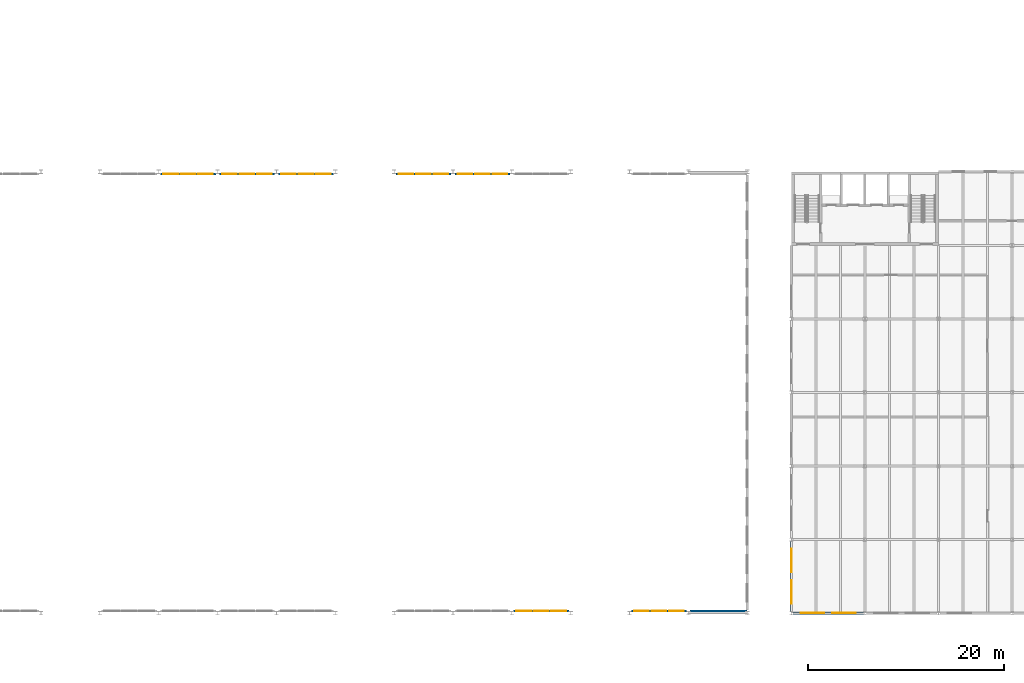
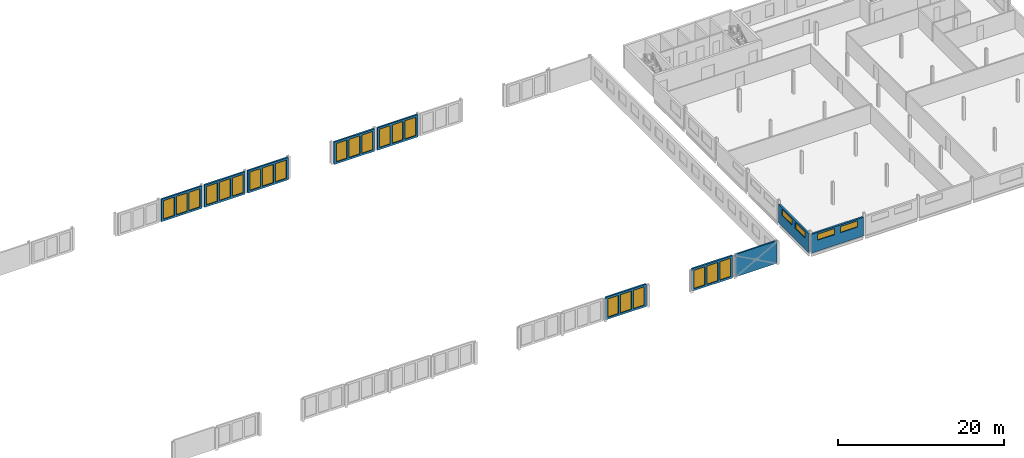
# One storey, part 51 of 199: 25 windows, 10 walls, 25 openings.
"""IFC4 building model written with IfcOpenShell, lengths in metres."""

from ifc_helpers import new_model, si_unit, direction, frame, frame_2d, origin, place, context, subcontext, project, spatial, rectangle, extrude, material, layer, layer_set, type_object, element, fill, save


model = new_model("IFC4")

# Units and contexts
model_context = context("Model", 3, precision=1e-05, world=origin(), true_north=direction((0.0, 1.0)))
body_context = subcontext(model_context, "Body", "Model", "MODEL_VIEW")
ifc_project = project(units=[si_unit("LENGTHUNIT", "METRE"), si_unit("AREAUNIT", "SQUARE_METRE"), si_unit("VOLUMEUNIT", "CUBIC_METRE"), si_unit("PLANEANGLEUNIT", "RADIAN"), si_unit("MASSUNIT", "GRAM", prefix="KILO")], contexts=[model_context])

# Site, building, storey
site_placement = place(None, origin())
site = spatial("IfcSite", under=ifc_project, at=site_placement, CompositionType="ELEMENT")
building_placement = place(site_placement, origin())
building = spatial("IfcBuilding", under=site, at=building_placement, Name="Parallax Yard Mobility Hub", CompositionType="ELEMENT")
storey_placement = place(building_placement, frame((0.0, 0.0, 9.89990234375)))
storey = spatial("IfcBuildingStorey", under=building, at=storey_placement, Name="L03", CompositionType="ELEMENT", Elevation=9.89990234375)

# Wall, openings, windows
ifc_material_1 = material(Name="Concrete fc' 35 MPa", Category="concrete")
ifc_layer_1 = layer(ifc_material_1, 0.25)
ifc_layer_set_1 = layer_set([ifc_layer_1], Name="Exterior wall, Concrete fc' 35 MPa precast, 250 with insulation lining")
wall_type_1 = type_object("IfcWallType", Name="Exterior wall, Concrete fc' 35 MPa precast, 250 with insulation lining", PredefinedType="SOLIDWALL", material=ifc_layer_set_1)
wall_1_placement = place(storey_placement, frame((97.653564453125, 7.5, 0.0), z_axis=(0.0, 0.0, 1.0), x_axis=(1.0, 0.0, 0.0)))
wall_1 = element("IfcWall", 1, at=wall_1_placement, inside=storey, type_object=wall_type_1, Name="Mobility service centre and workshops south wall bay 1 level L03", PredefinedType="SOLIDWALL", context=body_context, shape_type="SweptSolid", body=[
    extrude(rectangle(XDim=7.19287109375, YDim=0.25, at=frame_2d((3.596435546875, 0.0))), origin(), (0.0, 0.0, 1.0), 2.7509765625),
])
opening_1_placement = place(wall_1_placement, frame((0.797607421875, 0.0, 1.60009765625)))
opening_1 = element("IfcOpeningElement", 2, at=opening_1_placement, cuts=wall_1, Name="Opening W4", PredefinedType="OPENING", context=body_context, shape_type="SweptSolid", body=[
    extrude(rectangle(XDim=2.39990234375, YDim=0.89990234375, at=frame_2d((1.199951171875, 0.449951171875))), frame((0.0, 0.135009765625, 0.0), z_axis=(0.0, -1.0, 0.0), x_axis=(1.0, 0.0, 0.0)), (0.0, 0.0, 1.0), 0.27001953125),
])
opening_2_placement = place(wall_1_placement, frame((3.995361328125, 0.0, 1.60009765625)))
opening_2 = element("IfcOpeningElement", 3, at=opening_2_placement, cuts=wall_1, Name="Opening W4", PredefinedType="OPENING", context=body_context, shape_type="SweptSolid", body=[
    extrude(rectangle(XDim=2.39990234375, YDim=0.89990234375, at=frame_2d((1.199951171875, 0.449951171875))), frame((0.0, 0.135009765625, 0.0), z_axis=(0.0, -1.0, 0.0), x_axis=(1.0, 0.0, 0.0)), (0.0, 0.0, 1.0), 0.27001953125),
])
ifc_material_2 = material(Name="Double glazed low-E unit in thermally broken aluminium frame", Category="aluminium")
window_type_1 = type_object("IfcWindowType", Name="Workshop high-level window 2400 x 900", PartitioningType="DOUBLE_PANEL_VERTICAL", PredefinedType="WINDOW", material=ifc_material_2)
window_1_placement = place(opening_1_placement, origin())
window_1 = element("IfcWindow", 4, at=window_1_placement, inside=storey, type_object=window_type_1, Name="Window W4 level L03", OverallHeight=0.89990234375, OverallWidth=2.39990234375, PartitioningType="DOUBLE_PANEL_VERTICAL", PredefinedType="WINDOW", context=body_context, shape_type="SweptSolid", body=[
    extrude(rectangle(XDim=2.39990234375, YDim=0.89990234375, at=frame_2d((1.199951171875, 0.449951171875))), frame((0.0, 0.030029296875, 0.0), z_axis=(0.0, -1.0, 0.0), x_axis=(1.0, 0.0, 0.0)), (0.0, 0.0, 1.0), 0.06005859375),
])
fill(opening_1, window_1)
window_2_placement = place(opening_2_placement, origin())
window_2 = element("IfcWindow", 5, at=window_2_placement, inside=storey, type_object=window_type_1, Name="Window W4 level L03", OverallHeight=0.89990234375, OverallWidth=2.39990234375, PartitioningType="DOUBLE_PANEL_VERTICAL", PredefinedType="WINDOW", context=body_context, shape_type="SweptSolid", body=[
    extrude(rectangle(XDim=2.39990234375, YDim=0.89990234375, at=frame_2d((1.199951171875, 0.449951171875))), frame((0.0, 0.030029296875, 0.0), z_axis=(0.0, -1.0, 0.0), x_axis=(1.0, 0.0, 0.0)), (0.0, 0.0, 1.0), 0.06005859375),
])
fill(opening_2, window_2)

wall_2_placement = place(storey_placement, frame((97.5, 7.653564453125, 0.0), z_axis=(0.0, 0.0, 1.0), x_axis=(0.0, 1.0, 0.0)))
wall_2 = element("IfcWall", 6, at=wall_2_placement, inside=storey, type_object=wall_type_1, Name="Mobility service centre and workshops west wall bay 1 level L03", PredefinedType="SOLIDWALL", context=body_context, shape_type="SweptSolid", body=[
    extrude(rectangle(XDim=7.19287109375, YDim=0.25, at=frame_2d((3.596435546875, 0.0))), origin(), (0.0, 0.0, 1.0), 2.7509765625),
])
opening_3_placement = place(wall_2_placement, frame((0.797607421875, 0.0, 1.60009765625)))
opening_3 = element("IfcOpeningElement", 7, at=opening_3_placement, cuts=wall_2, Name="Opening W4", PredefinedType="OPENING", context=body_context, shape_type="SweptSolid", body=[
    extrude(rectangle(XDim=2.39990234375, YDim=0.89990234375, at=frame_2d((1.199951171875, 0.449951171875))), frame((0.0, 0.135009765625, 0.0), z_axis=(0.0, -1.0, 0.0), x_axis=(1.0, 0.0, 0.0)), (0.0, 0.0, 1.0), 0.27001953125),
])
opening_4_placement = place(wall_2_placement, frame((3.995361328125, 0.0, 1.60009765625)))
opening_4 = element("IfcOpeningElement", 8, at=opening_4_placement, cuts=wall_2, Name="Opening W4", PredefinedType="OPENING", context=body_context, shape_type="SweptSolid", body=[
    extrude(rectangle(XDim=2.39990234375, YDim=0.89990234375, at=frame_2d((1.199951171875, 0.449951171875))), frame((0.0, 0.135009765625, 0.0), z_axis=(0.0, -1.0, 0.0), x_axis=(1.0, 0.0, 0.0)), (0.0, 0.0, 1.0), 0.27001953125),
])
window_3_placement = place(opening_3_placement, origin())
window_3 = element("IfcWindow", 9, at=window_3_placement, inside=storey, type_object=window_type_1, Name="Window W4 level L03", OverallHeight=0.89990234375, OverallWidth=2.39990234375, PartitioningType="DOUBLE_PANEL_VERTICAL", PredefinedType="WINDOW", context=body_context, shape_type="SweptSolid", body=[
    extrude(rectangle(XDim=2.39990234375, YDim=0.89990234375, at=frame_2d((1.199951171875, 0.449951171875))), frame((0.0, 0.030029296875, 0.0), z_axis=(0.0, -1.0, 0.0), x_axis=(1.0, 0.0, 0.0)), (0.0, 0.0, 1.0), 0.06005859375),
])
fill(opening_3, window_3)
window_4_placement = place(opening_4_placement, origin())
window_4 = element("IfcWindow", 10, at=window_4_placement, inside=storey, type_object=window_type_1, Name="Window W4 level L03", OverallHeight=0.89990234375, OverallWidth=2.39990234375, PartitioningType="DOUBLE_PANEL_VERTICAL", PredefinedType="WINDOW", context=body_context, shape_type="SweptSolid", body=[
    extrude(rectangle(XDim=2.39990234375, YDim=0.89990234375, at=frame_2d((1.199951171875, 0.449951171875))), frame((0.0, 0.030029296875, 0.0), z_axis=(0.0, -1.0, 0.0), x_axis=(1.0, 0.0, 0.0)), (0.0, 0.0, 1.0), 0.06005859375),
])
fill(opening_4, window_4)

ifc_layer_2 = layer(ifc_material_1, 0.219970703125)
ifc_layer_set_2 = layer_set([ifc_layer_2], Name="Gable panel, Concrete fc' 35 MPa precast, 220")
wall_type_2 = type_object("IfcWallType", Name="Gable panel, Concrete fc' 35 MPa precast, 220", PredefinedType="SOLIDWALL", material=ifc_layer_set_2)
wall_3_placement = place(storey_placement, frame((69.1865234375, 7.72412109375, 0.0), z_axis=(0.0, 0.0, 1.0), x_axis=(1.0, 0.0, 0.0)))
wall_3 = element("IfcWall", 11, at=wall_3_placement, inside=storey, type_object=wall_type_2, Name="Bus and taxi deck south gable wall bay 9 level L03", PredefinedType="SOLIDWALL", context=body_context, shape_type="SweptSolid", body=[
    extrude(rectangle(XDim=5.626953125, YDim=0.219970703125, at=frame_2d((2.8134765625, 0.0))), origin(), (0.0, 0.0, 1.0), 3.300048828125),
])
opening_5_placement = place(wall_3_placement, frame((0.28173828125, 0.0, 0.300048828125)))
opening_5 = element("IfcOpeningElement", 12, at=opening_5_placement, cuts=wall_3, Name="Opening LV8", PredefinedType="OPENING", context=body_context, shape_type="SweptSolid", body=[
    extrude(rectangle(XDim=1.5, YDim=2.699951171875, at=frame_2d((0.75, 1.35009765625))), frame((0.0, 0.1201171875, 0.0), z_axis=(0.0, -1.0, 0.0), x_axis=(1.0, 0.0, 0.0)), (0.0, 0.0, 1.0), 0.239990234375),
])
opening_6_placement = place(wall_3_placement, frame((2.0634765625, 0.0, 0.300048828125)))
opening_6 = element("IfcOpeningElement", 13, at=opening_6_placement, cuts=wall_3, Name="Opening LV8", PredefinedType="OPENING", context=body_context, shape_type="SweptSolid", body=[
    extrude(rectangle(XDim=1.5, YDim=2.699951171875, at=frame_2d((0.75, 1.35009765625))), frame((0.0, 0.1201171875, 0.0), z_axis=(0.0, -1.0, 0.0), x_axis=(1.0, 0.0, 0.0)), (0.0, 0.0, 1.0), 0.239990234375),
])
opening_7_placement = place(wall_3_placement, frame((3.84521484375, 0.0, 0.300048828125)))
opening_7 = element("IfcOpeningElement", 14, at=opening_7_placement, cuts=wall_3, Name="Opening LV8", PredefinedType="OPENING", context=body_context, shape_type="SweptSolid", body=[
    extrude(rectangle(XDim=1.5, YDim=2.699951171875, at=frame_2d((0.75, 1.35009765625))), frame((0.0, 0.1201171875, 0.0), z_axis=(0.0, -1.0, 0.0), x_axis=(1.0, 0.0, 0.0)), (0.0, 0.0, 1.0), 0.239990234375),
])
ifc_material_3 = material(Name="Extruded aluminium storm louvre blades in a powder-coated frame", Category="aluminium")
window_type_2 = type_object("IfcWindowType", Name="Storm louvre 1500 x 2700", PartitioningType="SINGLE_PANEL", PredefinedType="WINDOW", material=ifc_material_3)
window_5_placement = place(opening_5_placement, origin())
window_5 = element("IfcWindow", 15, at=window_5_placement, inside=storey, type_object=window_type_2, Name="LV8 louvre level L03", OverallHeight=2.699951171875, OverallWidth=1.5, PartitioningType="SINGLE_PANEL", PredefinedType="WINDOW", context=body_context, shape_type="SweptSolid", body=[
    extrude(rectangle(XDim=1.5, YDim=2.699951171875, at=frame_2d((0.75, 1.35009765625))), frame((0.0, 0.030029296875, 0.0), z_axis=(0.0, -1.0, 0.0), x_axis=(1.0, 0.0, 0.0)), (0.0, 0.0, 1.0), 0.06005859375),
])
fill(opening_5, window_5)
window_6_placement = place(opening_6_placement, origin())
window_6 = element("IfcWindow", 16, at=window_6_placement, inside=storey, type_object=window_type_2, Name="LV8 louvre level L03", OverallHeight=2.699951171875, OverallWidth=1.5, PartitioningType="SINGLE_PANEL", PredefinedType="WINDOW", context=body_context, shape_type="SweptSolid", body=[
    extrude(rectangle(XDim=1.5, YDim=2.699951171875, at=frame_2d((0.75, 1.35009765625))), frame((0.0, 0.030029296875, 0.0), z_axis=(0.0, -1.0, 0.0), x_axis=(1.0, 0.0, 0.0)), (0.0, 0.0, 1.0), 0.06005859375),
])
fill(opening_6, window_6)
window_7_placement = place(opening_7_placement, origin())
window_7 = element("IfcWindow", 17, at=window_7_placement, inside=storey, type_object=window_type_2, Name="LV8 louvre level L03", OverallHeight=2.699951171875, OverallWidth=1.5, PartitioningType="SINGLE_PANEL", PredefinedType="WINDOW", context=body_context, shape_type="SweptSolid", body=[
    extrude(rectangle(XDim=1.5, YDim=2.699951171875, at=frame_2d((0.75, 1.35009765625))), frame((0.0, 0.030029296875, 0.0), z_axis=(0.0, -1.0, 0.0), x_axis=(1.0, 0.0, 0.0)), (0.0, 0.0, 1.0), 0.06005859375),
])
fill(opening_7, window_7)

wall_4_placement = place(storey_placement, frame((81.1865234375, 7.72412109375, 0.0), z_axis=(0.0, 0.0, 1.0), x_axis=(1.0, 0.0, 0.0)))
wall_4 = element("IfcWall", 18, at=wall_4_placement, inside=storey, type_object=wall_type_2, Name="Bus and taxi deck south gable wall bay 10 level L03", PredefinedType="SOLIDWALL", context=body_context, shape_type="SweptSolid", body=[
    extrude(rectangle(XDim=5.626953125, YDim=0.219970703125, at=frame_2d((2.8134765625, 0.0))), origin(), (0.0, 0.0, 1.0), 3.300048828125),
])
opening_8_placement = place(wall_4_placement, frame((0.28173828125, 0.0, 0.300048828125)))
opening_8 = element("IfcOpeningElement", 19, at=opening_8_placement, cuts=wall_4, Name="Opening LV8", PredefinedType="OPENING", context=body_context, shape_type="SweptSolid", body=[
    extrude(rectangle(XDim=1.5, YDim=2.699951171875, at=frame_2d((0.75, 1.35009765625))), frame((0.0, 0.1201171875, 0.0), z_axis=(0.0, -1.0, 0.0), x_axis=(1.0, 0.0, 0.0)), (0.0, 0.0, 1.0), 0.239990234375),
])
opening_9_placement = place(wall_4_placement, frame((2.0634765625, 0.0, 0.300048828125)))
opening_9 = element("IfcOpeningElement", 20, at=opening_9_placement, cuts=wall_4, Name="Opening LV8", PredefinedType="OPENING", context=body_context, shape_type="SweptSolid", body=[
    extrude(rectangle(XDim=1.5, YDim=2.699951171875, at=frame_2d((0.75, 1.35009765625))), frame((0.0, 0.1201171875, 0.0), z_axis=(0.0, -1.0, 0.0), x_axis=(1.0, 0.0, 0.0)), (0.0, 0.0, 1.0), 0.239990234375),
])
opening_10_placement = place(wall_4_placement, frame((3.84521484375, 0.0, 0.300048828125)))
opening_10 = element("IfcOpeningElement", 21, at=opening_10_placement, cuts=wall_4, Name="Opening LV8", PredefinedType="OPENING", context=body_context, shape_type="SweptSolid", body=[
    extrude(rectangle(XDim=1.5, YDim=2.699951171875, at=frame_2d((0.75, 1.35009765625))), frame((0.0, 0.1201171875, 0.0), z_axis=(0.0, -1.0, 0.0), x_axis=(1.0, 0.0, 0.0)), (0.0, 0.0, 1.0), 0.239990234375),
])
window_8_placement = place(opening_8_placement, origin())
window_8 = element("IfcWindow", 22, at=window_8_placement, inside=storey, type_object=window_type_2, Name="LV8 louvre level L03", OverallHeight=2.699951171875, OverallWidth=1.5, PartitioningType="SINGLE_PANEL", PredefinedType="WINDOW", context=body_context, shape_type="SweptSolid", body=[
    extrude(rectangle(XDim=1.5, YDim=2.699951171875, at=frame_2d((0.75, 1.35009765625))), frame((0.0, 0.030029296875, 0.0), z_axis=(0.0, -1.0, 0.0), x_axis=(1.0, 0.0, 0.0)), (0.0, 0.0, 1.0), 0.06005859375),
])
fill(opening_8, window_8)
window_9_placement = place(opening_9_placement, origin())
window_9 = element("IfcWindow", 23, at=window_9_placement, inside=storey, type_object=window_type_2, Name="LV8 louvre level L03", OverallHeight=2.699951171875, OverallWidth=1.5, PartitioningType="SINGLE_PANEL", PredefinedType="WINDOW", context=body_context, shape_type="SweptSolid", body=[
    extrude(rectangle(XDim=1.5, YDim=2.699951171875, at=frame_2d((0.75, 1.35009765625))), frame((0.0, 0.030029296875, 0.0), z_axis=(0.0, -1.0, 0.0), x_axis=(1.0, 0.0, 0.0)), (0.0, 0.0, 1.0), 0.06005859375),
])
fill(opening_9, window_9)
window_10_placement = place(opening_10_placement, origin())
window_10 = element("IfcWindow", 24, at=window_10_placement, inside=storey, type_object=window_type_2, Name="LV8 louvre level L03", OverallHeight=2.699951171875, OverallWidth=1.5, PartitioningType="SINGLE_PANEL", PredefinedType="WINDOW", context=body_context, shape_type="SweptSolid", body=[
    extrude(rectangle(XDim=1.5, YDim=2.699951171875, at=frame_2d((0.75, 1.35009765625))), frame((0.0, 0.030029296875, 0.0), z_axis=(0.0, -1.0, 0.0), x_axis=(1.0, 0.0, 0.0)), (0.0, 0.0, 1.0), 0.06005859375),
])
fill(opening_10, window_10)

# Wall
wall_5_placement = place(storey_placement, frame((87.1865234375, 7.72900390625, 0.0), z_axis=(0.0, 0.0, 1.0), x_axis=(1.0, 0.0, 0.0)))
element("IfcWall", 25, at=wall_5_placement, inside=storey, type_object=wall_type_2, Name="Bus and taxi deck south gable wall bay 11 level L03", PredefinedType="SOLIDWALL", context=body_context, shape_type="SweptSolid", body=[
    extrude(rectangle(XDim=5.783447265625, YDim=0.219970703125, at=frame_2d((2.8916015625, 0.0))), origin(), (0.0, 0.0, 1.0), 3.300048828125),
])

# Wall, openings, windows
wall_6_placement = place(storey_placement, frame((33.1865234375, 52.27587890625, 0.0), z_axis=(0.0, 0.0, 1.0), x_axis=(1.0, 0.0, 0.0)))
wall_6 = element("IfcWall", 26, at=wall_6_placement, inside=storey, type_object=wall_type_2, Name="Bus and taxi deck north gable wall bay 4 level L03", PredefinedType="SOLIDWALL", context=body_context, shape_type="SweptSolid", body=[
    extrude(rectangle(XDim=5.626953125, YDim=0.219970703125, at=frame_2d((2.8134765625, 0.0))), origin(), (0.0, 0.0, 1.0), 3.300048828125),
])
opening_11_placement = place(wall_6_placement, frame((0.28173828125, 0.0, 0.300048828125)))
opening_11 = element("IfcOpeningElement", 27, at=opening_11_placement, cuts=wall_6, Name="Opening LV8", PredefinedType="OPENING", context=body_context, shape_type="SweptSolid", body=[
    extrude(rectangle(XDim=1.5, YDim=2.699951171875, at=frame_2d((0.75, 1.35009765625))), frame((0.0, 0.1201171875, 0.0), z_axis=(0.0, -1.0, 0.0), x_axis=(1.0, 0.0, 0.0)), (0.0, 0.0, 1.0), 0.239990234375),
])
opening_12_placement = place(wall_6_placement, frame((2.0634765625, 0.0, 0.300048828125)))
opening_12 = element("IfcOpeningElement", 28, at=opening_12_placement, cuts=wall_6, Name="Opening LV8", PredefinedType="OPENING", context=body_context, shape_type="SweptSolid", body=[
    extrude(rectangle(XDim=1.5, YDim=2.699951171875, at=frame_2d((0.75, 1.35009765625))), frame((0.0, 0.1201171875, 0.0), z_axis=(0.0, -1.0, 0.0), x_axis=(1.0, 0.0, 0.0)), (0.0, 0.0, 1.0), 0.239990234375),
])
opening_13_placement = place(wall_6_placement, frame((3.84521484375, 0.0, 0.300048828125)))
opening_13 = element("IfcOpeningElement", 29, at=opening_13_placement, cuts=wall_6, Name="Opening LV8", PredefinedType="OPENING", context=body_context, shape_type="SweptSolid", body=[
    extrude(rectangle(XDim=1.5, YDim=2.699951171875, at=frame_2d((0.75, 1.35009765625))), frame((0.0, 0.1201171875, 0.0), z_axis=(0.0, -1.0, 0.0), x_axis=(1.0, 0.0, 0.0)), (0.0, 0.0, 1.0), 0.239990234375),
])
window_11_placement = place(opening_11_placement, origin())
window_11 = element("IfcWindow", 30, at=window_11_placement, inside=storey, type_object=window_type_2, Name="LV8 louvre level L03", OverallHeight=2.699951171875, OverallWidth=1.5, PartitioningType="SINGLE_PANEL", PredefinedType="WINDOW", context=body_context, shape_type="SweptSolid", body=[
    extrude(rectangle(XDim=1.5, YDim=2.699951171875, at=frame_2d((0.75, 1.35009765625))), frame((0.0, 0.030029296875, 0.0), z_axis=(0.0, -1.0, 0.0), x_axis=(1.0, 0.0, 0.0)), (0.0, 0.0, 1.0), 0.06005859375),
])
fill(opening_11, window_11)
window_12_placement = place(opening_12_placement, origin())
window_12 = element("IfcWindow", 31, at=window_12_placement, inside=storey, type_object=window_type_2, Name="LV8 louvre level L03", OverallHeight=2.699951171875, OverallWidth=1.5, PartitioningType="SINGLE_PANEL", PredefinedType="WINDOW", context=body_context, shape_type="SweptSolid", body=[
    extrude(rectangle(XDim=1.5, YDim=2.699951171875, at=frame_2d((0.75, 1.35009765625))), frame((0.0, 0.030029296875, 0.0), z_axis=(0.0, -1.0, 0.0), x_axis=(1.0, 0.0, 0.0)), (0.0, 0.0, 1.0), 0.06005859375),
])
fill(opening_12, window_12)
window_13_placement = place(opening_13_placement, origin())
window_13 = element("IfcWindow", 32, at=window_13_placement, inside=storey, type_object=window_type_2, Name="LV8 louvre level L03", OverallHeight=2.699951171875, OverallWidth=1.5, PartitioningType="SINGLE_PANEL", PredefinedType="WINDOW", context=body_context, shape_type="SweptSolid", body=[
    extrude(rectangle(XDim=1.5, YDim=2.699951171875, at=frame_2d((0.75, 1.35009765625))), frame((0.0, 0.030029296875, 0.0), z_axis=(0.0, -1.0, 0.0), x_axis=(1.0, 0.0, 0.0)), (0.0, 0.0, 1.0), 0.06005859375),
])
fill(opening_13, window_13)

wall_7_placement = place(storey_placement, frame((39.1865234375, 52.27587890625, 0.0), z_axis=(0.0, 0.0, 1.0), x_axis=(1.0, 0.0, 0.0)))
wall_7 = element("IfcWall", 33, at=wall_7_placement, inside=storey, type_object=wall_type_2, Name="Bus and taxi deck north gable wall bay 5 level L03", PredefinedType="SOLIDWALL", context=body_context, shape_type="SweptSolid", body=[
    extrude(rectangle(XDim=5.626953125, YDim=0.219970703125, at=frame_2d((2.8134765625, 0.0))), origin(), (0.0, 0.0, 1.0), 3.300048828125),
])
opening_14_placement = place(wall_7_placement, frame((0.28173828125, 0.0, 0.300048828125)))
opening_14 = element("IfcOpeningElement", 34, at=opening_14_placement, cuts=wall_7, Name="Opening LV8", PredefinedType="OPENING", context=body_context, shape_type="SweptSolid", body=[
    extrude(rectangle(XDim=1.5, YDim=2.699951171875, at=frame_2d((0.75, 1.35009765625))), frame((0.0, 0.1201171875, 0.0), z_axis=(0.0, -1.0, 0.0), x_axis=(1.0, 0.0, 0.0)), (0.0, 0.0, 1.0), 0.239990234375),
])
opening_15_placement = place(wall_7_placement, frame((2.0634765625, 0.0, 0.300048828125)))
opening_15 = element("IfcOpeningElement", 35, at=opening_15_placement, cuts=wall_7, Name="Opening LV8", PredefinedType="OPENING", context=body_context, shape_type="SweptSolid", body=[
    extrude(rectangle(XDim=1.5, YDim=2.699951171875, at=frame_2d((0.75, 1.35009765625))), frame((0.0, 0.1201171875, 0.0), z_axis=(0.0, -1.0, 0.0), x_axis=(1.0, 0.0, 0.0)), (0.0, 0.0, 1.0), 0.239990234375),
])
opening_16_placement = place(wall_7_placement, frame((3.84521484375, 0.0, 0.300048828125)))
opening_16 = element("IfcOpeningElement", 36, at=opening_16_placement, cuts=wall_7, Name="Opening LV8", PredefinedType="OPENING", context=body_context, shape_type="SweptSolid", body=[
    extrude(rectangle(XDim=1.5, YDim=2.699951171875, at=frame_2d((0.75, 1.35009765625))), frame((0.0, 0.1201171875, 0.0), z_axis=(0.0, -1.0, 0.0), x_axis=(1.0, 0.0, 0.0)), (0.0, 0.0, 1.0), 0.239990234375),
])
window_14_placement = place(opening_14_placement, origin())
window_14 = element("IfcWindow", 37, at=window_14_placement, inside=storey, type_object=window_type_2, Name="LV8 louvre level L03", OverallHeight=2.699951171875, OverallWidth=1.5, PartitioningType="SINGLE_PANEL", PredefinedType="WINDOW", context=body_context, shape_type="SweptSolid", body=[
    extrude(rectangle(XDim=1.5, YDim=2.699951171875, at=frame_2d((0.75, 1.35009765625))), frame((0.0, 0.030029296875, 0.0), z_axis=(0.0, -1.0, 0.0), x_axis=(1.0, 0.0, 0.0)), (0.0, 0.0, 1.0), 0.06005859375),
])
fill(opening_14, window_14)
window_15_placement = place(opening_15_placement, origin())
window_15 = element("IfcWindow", 38, at=window_15_placement, inside=storey, type_object=window_type_2, Name="LV8 louvre level L03", OverallHeight=2.699951171875, OverallWidth=1.5, PartitioningType="SINGLE_PANEL", PredefinedType="WINDOW", context=body_context, shape_type="SweptSolid", body=[
    extrude(rectangle(XDim=1.5, YDim=2.699951171875, at=frame_2d((0.75, 1.35009765625))), frame((0.0, 0.030029296875, 0.0), z_axis=(0.0, -1.0, 0.0), x_axis=(1.0, 0.0, 0.0)), (0.0, 0.0, 1.0), 0.06005859375),
])
fill(opening_15, window_15)
window_16_placement = place(opening_16_placement, origin())
window_16 = element("IfcWindow", 39, at=window_16_placement, inside=storey, type_object=window_type_2, Name="LV8 louvre level L03", OverallHeight=2.699951171875, OverallWidth=1.5, PartitioningType="SINGLE_PANEL", PredefinedType="WINDOW", context=body_context, shape_type="SweptSolid", body=[
    extrude(rectangle(XDim=1.5, YDim=2.699951171875, at=frame_2d((0.75, 1.35009765625))), frame((0.0, 0.030029296875, 0.0), z_axis=(0.0, -1.0, 0.0), x_axis=(1.0, 0.0, 0.0)), (0.0, 0.0, 1.0), 0.06005859375),
])
fill(opening_16, window_16)

wall_8_placement = place(storey_placement, frame((45.1865234375, 52.27587890625, 0.0), z_axis=(0.0, 0.0, 1.0), x_axis=(1.0, 0.0, 0.0)))
wall_8 = element("IfcWall", 40, at=wall_8_placement, inside=storey, type_object=wall_type_2, Name="Bus and taxi deck north gable wall bay 6 level L03", PredefinedType="SOLIDWALL", context=body_context, shape_type="SweptSolid", body=[
    extrude(rectangle(XDim=5.626953125, YDim=0.219970703125, at=frame_2d((2.8134765625, 0.0))), origin(), (0.0, 0.0, 1.0), 3.300048828125),
])
opening_17_placement = place(wall_8_placement, frame((0.28173828125, 0.0, 0.300048828125)))
opening_17 = element("IfcOpeningElement", 41, at=opening_17_placement, cuts=wall_8, Name="Opening LV8", PredefinedType="OPENING", context=body_context, shape_type="SweptSolid", body=[
    extrude(rectangle(XDim=1.5, YDim=2.699951171875, at=frame_2d((0.75, 1.35009765625))), frame((0.0, 0.1201171875, 0.0), z_axis=(0.0, -1.0, 0.0), x_axis=(1.0, 0.0, 0.0)), (0.0, 0.0, 1.0), 0.239990234375),
])
opening_18_placement = place(wall_8_placement, frame((2.0634765625, 0.0, 0.300048828125)))
opening_18 = element("IfcOpeningElement", 42, at=opening_18_placement, cuts=wall_8, Name="Opening LV8", PredefinedType="OPENING", context=body_context, shape_type="SweptSolid", body=[
    extrude(rectangle(XDim=1.5, YDim=2.699951171875, at=frame_2d((0.75, 1.35009765625))), frame((0.0, 0.1201171875, 0.0), z_axis=(0.0, -1.0, 0.0), x_axis=(1.0, 0.0, 0.0)), (0.0, 0.0, 1.0), 0.239990234375),
])
opening_19_placement = place(wall_8_placement, frame((3.84521484375, 0.0, 0.300048828125)))
opening_19 = element("IfcOpeningElement", 43, at=opening_19_placement, cuts=wall_8, Name="Opening LV8", PredefinedType="OPENING", context=body_context, shape_type="SweptSolid", body=[
    extrude(rectangle(XDim=1.5, YDim=2.699951171875, at=frame_2d((0.75, 1.35009765625))), frame((0.0, 0.1201171875, 0.0), z_axis=(0.0, -1.0, 0.0), x_axis=(1.0, 0.0, 0.0)), (0.0, 0.0, 1.0), 0.239990234375),
])
window_17_placement = place(opening_17_placement, origin())
window_17 = element("IfcWindow", 44, at=window_17_placement, inside=storey, type_object=window_type_2, Name="LV8 louvre level L03", OverallHeight=2.699951171875, OverallWidth=1.5, PartitioningType="SINGLE_PANEL", PredefinedType="WINDOW", context=body_context, shape_type="SweptSolid", body=[
    extrude(rectangle(XDim=1.5, YDim=2.699951171875, at=frame_2d((0.75, 1.35009765625))), frame((0.0, 0.030029296875, 0.0), z_axis=(0.0, -1.0, 0.0), x_axis=(1.0, 0.0, 0.0)), (0.0, 0.0, 1.0), 0.06005859375),
])
fill(opening_17, window_17)
window_18_placement = place(opening_18_placement, origin())
window_18 = element("IfcWindow", 45, at=window_18_placement, inside=storey, type_object=window_type_2, Name="LV8 louvre level L03", OverallHeight=2.699951171875, OverallWidth=1.5, PartitioningType="SINGLE_PANEL", PredefinedType="WINDOW", context=body_context, shape_type="SweptSolid", body=[
    extrude(rectangle(XDim=1.5, YDim=2.699951171875, at=frame_2d((0.75, 1.35009765625))), frame((0.0, 0.030029296875, 0.0), z_axis=(0.0, -1.0, 0.0), x_axis=(1.0, 0.0, 0.0)), (0.0, 0.0, 1.0), 0.06005859375),
])
fill(opening_18, window_18)
window_19_placement = place(opening_19_placement, origin())
window_19 = element("IfcWindow", 46, at=window_19_placement, inside=storey, type_object=window_type_2, Name="LV8 louvre level L03", OverallHeight=2.699951171875, OverallWidth=1.5, PartitioningType="SINGLE_PANEL", PredefinedType="WINDOW", context=body_context, shape_type="SweptSolid", body=[
    extrude(rectangle(XDim=1.5, YDim=2.699951171875, at=frame_2d((0.75, 1.35009765625))), frame((0.0, 0.030029296875, 0.0), z_axis=(0.0, -1.0, 0.0), x_axis=(1.0, 0.0, 0.0)), (0.0, 0.0, 1.0), 0.06005859375),
])
fill(opening_19, window_19)

wall_9_placement = place(storey_placement, frame((57.1865234375, 52.27587890625, 0.0), z_axis=(0.0, 0.0, 1.0), x_axis=(1.0, 0.0, 0.0)))
wall_9 = element("IfcWall", 47, at=wall_9_placement, inside=storey, type_object=wall_type_2, Name="Bus and taxi deck north gable wall bay 7 level L03", PredefinedType="SOLIDWALL", context=body_context, shape_type="SweptSolid", body=[
    extrude(rectangle(XDim=5.626953125, YDim=0.219970703125, at=frame_2d((2.8134765625, 0.0))), origin(), (0.0, 0.0, 1.0), 3.300048828125),
])
opening_20_placement = place(wall_9_placement, frame((0.28173828125, 0.0, 0.300048828125)))
opening_20 = element("IfcOpeningElement", 48, at=opening_20_placement, cuts=wall_9, Name="Opening LV8", PredefinedType="OPENING", context=body_context, shape_type="SweptSolid", body=[
    extrude(rectangle(XDim=1.5, YDim=2.699951171875, at=frame_2d((0.75, 1.35009765625))), frame((0.0, 0.1201171875, 0.0), z_axis=(0.0, -1.0, 0.0), x_axis=(1.0, 0.0, 0.0)), (0.0, 0.0, 1.0), 0.239990234375),
])
opening_21_placement = place(wall_9_placement, frame((2.0634765625, 0.0, 0.300048828125)))
opening_21 = element("IfcOpeningElement", 49, at=opening_21_placement, cuts=wall_9, Name="Opening LV8", PredefinedType="OPENING", context=body_context, shape_type="SweptSolid", body=[
    extrude(rectangle(XDim=1.5, YDim=2.699951171875, at=frame_2d((0.75, 1.35009765625))), frame((0.0, 0.1201171875, 0.0), z_axis=(0.0, -1.0, 0.0), x_axis=(1.0, 0.0, 0.0)), (0.0, 0.0, 1.0), 0.239990234375),
])
opening_22_placement = place(wall_9_placement, frame((3.84521484375, 0.0, 0.300048828125)))
opening_22 = element("IfcOpeningElement", 50, at=opening_22_placement, cuts=wall_9, Name="Opening LV8", PredefinedType="OPENING", context=body_context, shape_type="SweptSolid", body=[
    extrude(rectangle(XDim=1.5, YDim=2.699951171875, at=frame_2d((0.75, 1.35009765625))), frame((0.0, 0.1201171875, 0.0), z_axis=(0.0, -1.0, 0.0), x_axis=(1.0, 0.0, 0.0)), (0.0, 0.0, 1.0), 0.239990234375),
])
window_20_placement = place(opening_20_placement, origin())
window_20 = element("IfcWindow", 51, at=window_20_placement, inside=storey, type_object=window_type_2, Name="LV8 louvre level L03", OverallHeight=2.699951171875, OverallWidth=1.5, PartitioningType="SINGLE_PANEL", PredefinedType="WINDOW", context=body_context, shape_type="SweptSolid", body=[
    extrude(rectangle(XDim=1.5, YDim=2.699951171875, at=frame_2d((0.75, 1.35009765625))), frame((0.0, 0.030029296875, 0.0), z_axis=(0.0, -1.0, 0.0), x_axis=(1.0, 0.0, 0.0)), (0.0, 0.0, 1.0), 0.06005859375),
])
fill(opening_20, window_20)
window_21_placement = place(opening_21_placement, origin())
window_21 = element("IfcWindow", 52, at=window_21_placement, inside=storey, type_object=window_type_2, Name="LV8 louvre level L03", OverallHeight=2.699951171875, OverallWidth=1.5, PartitioningType="SINGLE_PANEL", PredefinedType="WINDOW", context=body_context, shape_type="SweptSolid", body=[
    extrude(rectangle(XDim=1.5, YDim=2.699951171875, at=frame_2d((0.75, 1.35009765625))), frame((0.0, 0.030029296875, 0.0), z_axis=(0.0, -1.0, 0.0), x_axis=(1.0, 0.0, 0.0)), (0.0, 0.0, 1.0), 0.06005859375),
])
fill(opening_21, window_21)
window_22_placement = place(opening_22_placement, origin())
window_22 = element("IfcWindow", 53, at=window_22_placement, inside=storey, type_object=window_type_2, Name="LV8 louvre level L03", OverallHeight=2.699951171875, OverallWidth=1.5, PartitioningType="SINGLE_PANEL", PredefinedType="WINDOW", context=body_context, shape_type="SweptSolid", body=[
    extrude(rectangle(XDim=1.5, YDim=2.699951171875, at=frame_2d((0.75, 1.35009765625))), frame((0.0, 0.030029296875, 0.0), z_axis=(0.0, -1.0, 0.0), x_axis=(1.0, 0.0, 0.0)), (0.0, 0.0, 1.0), 0.06005859375),
])
fill(opening_22, window_22)

wall_10_placement = place(storey_placement, frame((63.1865234375, 52.27587890625, 0.0), z_axis=(0.0, 0.0, 1.0), x_axis=(1.0, 0.0, 0.0)))
wall_10 = element("IfcWall", 54, at=wall_10_placement, inside=storey, type_object=wall_type_2, Name="Bus and taxi deck north gable wall bay 8 level L03", PredefinedType="SOLIDWALL", context=body_context, shape_type="SweptSolid", body=[
    extrude(rectangle(XDim=5.626953125, YDim=0.219970703125, at=frame_2d((2.8134765625, 0.0))), origin(), (0.0, 0.0, 1.0), 3.300048828125),
])
opening_23_placement = place(wall_10_placement, frame((0.28173828125, 0.0, 0.300048828125)))
opening_23 = element("IfcOpeningElement", 55, at=opening_23_placement, cuts=wall_10, Name="Opening LV8", PredefinedType="OPENING", context=body_context, shape_type="SweptSolid", body=[
    extrude(rectangle(XDim=1.5, YDim=2.699951171875, at=frame_2d((0.75, 1.35009765625))), frame((0.0, 0.1201171875, 0.0), z_axis=(0.0, -1.0, 0.0), x_axis=(1.0, 0.0, 0.0)), (0.0, 0.0, 1.0), 0.239990234375),
])
opening_24_placement = place(wall_10_placement, frame((2.0634765625, 0.0, 0.300048828125)))
opening_24 = element("IfcOpeningElement", 56, at=opening_24_placement, cuts=wall_10, Name="Opening LV8", PredefinedType="OPENING", context=body_context, shape_type="SweptSolid", body=[
    extrude(rectangle(XDim=1.5, YDim=2.699951171875, at=frame_2d((0.75, 1.35009765625))), frame((0.0, 0.1201171875, 0.0), z_axis=(0.0, -1.0, 0.0), x_axis=(1.0, 0.0, 0.0)), (0.0, 0.0, 1.0), 0.239990234375),
])
opening_25_placement = place(wall_10_placement, frame((3.84521484375, 0.0, 0.300048828125)))
opening_25 = element("IfcOpeningElement", 57, at=opening_25_placement, cuts=wall_10, Name="Opening LV8", PredefinedType="OPENING", context=body_context, shape_type="SweptSolid", body=[
    extrude(rectangle(XDim=1.5, YDim=2.699951171875, at=frame_2d((0.75, 1.35009765625))), frame((0.0, 0.1201171875, 0.0), z_axis=(0.0, -1.0, 0.0), x_axis=(1.0, 0.0, 0.0)), (0.0, 0.0, 1.0), 0.239990234375),
])
window_23_placement = place(opening_23_placement, origin())
window_23 = element("IfcWindow", 58, at=window_23_placement, inside=storey, type_object=window_type_2, Name="LV8 louvre level L03", OverallHeight=2.699951171875, OverallWidth=1.5, PartitioningType="SINGLE_PANEL", PredefinedType="WINDOW", context=body_context, shape_type="SweptSolid", body=[
    extrude(rectangle(XDim=1.5, YDim=2.699951171875, at=frame_2d((0.75, 1.35009765625))), frame((0.0, 0.030029296875, 0.0), z_axis=(0.0, -1.0, 0.0), x_axis=(1.0, 0.0, 0.0)), (0.0, 0.0, 1.0), 0.06005859375),
])
fill(opening_23, window_23)
window_24_placement = place(opening_24_placement, origin())
window_24 = element("IfcWindow", 59, at=window_24_placement, inside=storey, type_object=window_type_2, Name="LV8 louvre level L03", OverallHeight=2.699951171875, OverallWidth=1.5, PartitioningType="SINGLE_PANEL", PredefinedType="WINDOW", context=body_context, shape_type="SweptSolid", body=[
    extrude(rectangle(XDim=1.5, YDim=2.699951171875, at=frame_2d((0.75, 1.35009765625))), frame((0.0, 0.030029296875, 0.0), z_axis=(0.0, -1.0, 0.0), x_axis=(1.0, 0.0, 0.0)), (0.0, 0.0, 1.0), 0.06005859375),
])
fill(opening_24, window_24)
window_25_placement = place(opening_25_placement, origin())
window_25 = element("IfcWindow", 60, at=window_25_placement, inside=storey, type_object=window_type_2, Name="LV8 louvre level L03", OverallHeight=2.699951171875, OverallWidth=1.5, PartitioningType="SINGLE_PANEL", PredefinedType="WINDOW", context=body_context, shape_type="SweptSolid", body=[
    extrude(rectangle(XDim=1.5, YDim=2.699951171875, at=frame_2d((0.75, 1.35009765625))), frame((0.0, 0.030029296875, 0.0), z_axis=(0.0, -1.0, 0.0), x_axis=(1.0, 0.0, 0.0)), (0.0, 0.0, 1.0), 0.06005859375),
])
fill(opening_25, window_25)

save(model, "model.ifc")
